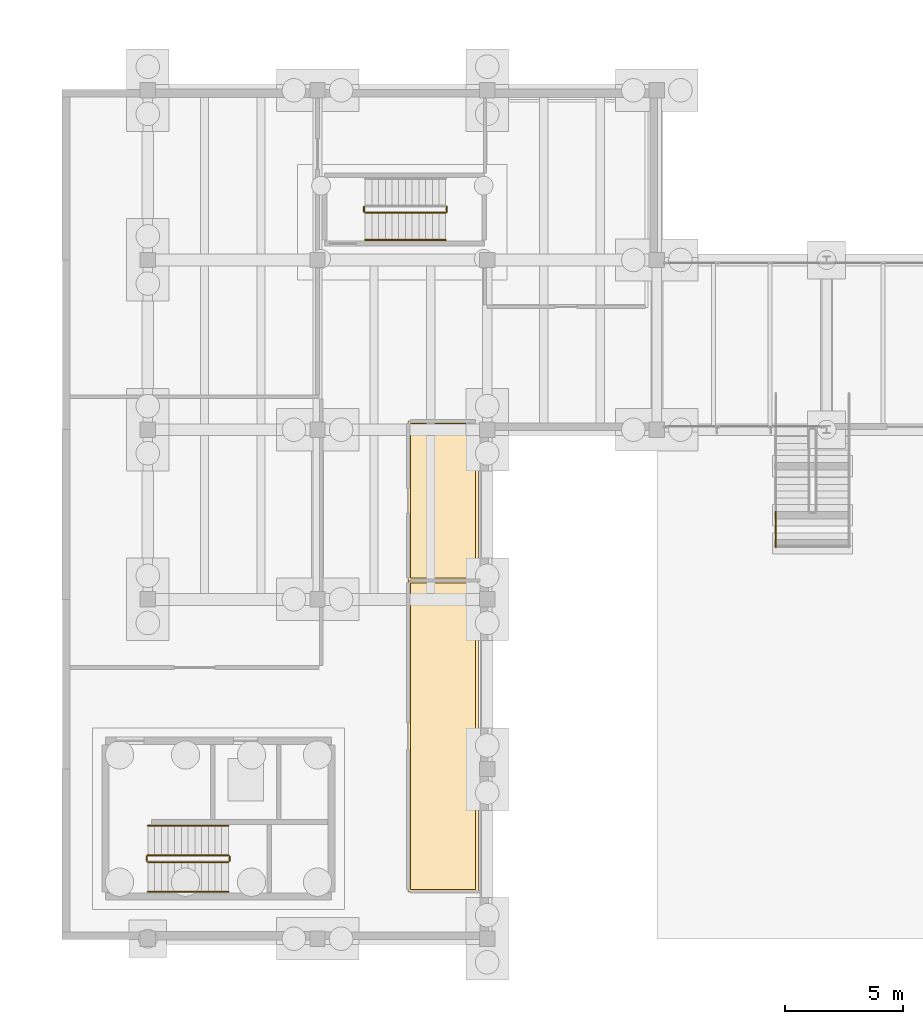
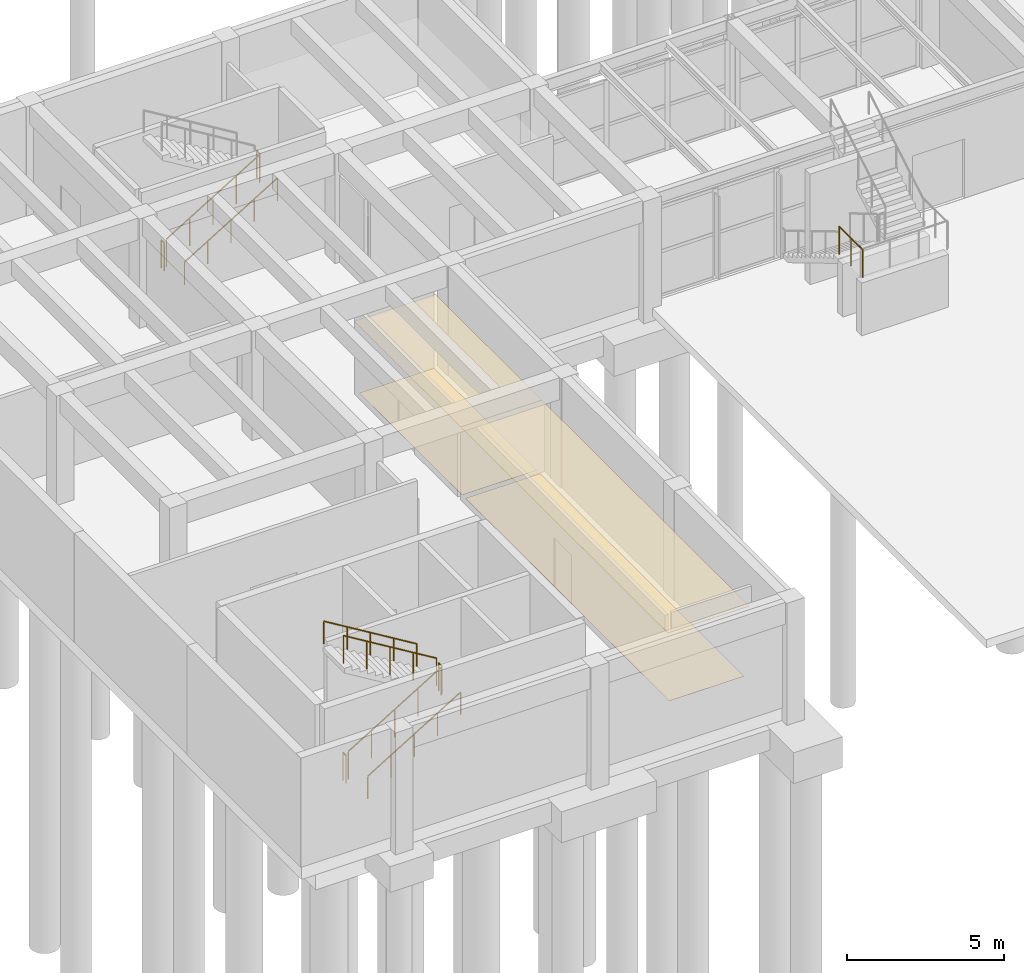
# One storey, part 23 of 28: 11 railings, 4 coverings.
"""IFC4 building model written with IfcOpenShell, lengths in metres."""

from ifc_helpers import new_model, si_unit, direction, frame, origin, origin_2d, place, context, subcontext, project, spatial, polyline, circle, outline, extrude, material, layer, layer_set, type_object, element, save


model = new_model("IFC4")

# Units and contexts
model_context = context("Model", 3, precision=1e-05, world=origin(), true_north=direction((0.0, 1.0)))
body_context = subcontext(model_context, "Body", "Model", "MODEL_VIEW")
ifc_project = project(units=[si_unit("LENGTHUNIT", "METRE"), si_unit("AREAUNIT", "SQUARE_METRE"), si_unit("VOLUMEUNIT", "CUBIC_METRE"), si_unit("PLANEANGLEUNIT", "RADIAN"), si_unit("MASSUNIT", "GRAM", prefix="KILO")], contexts=[model_context])

# Site, building, storey
site_placement = place(None, origin())
site = spatial("IfcSite", under=ifc_project, at=site_placement, CompositionType="ELEMENT")
building_placement = place(site_placement, origin())
building = spatial("IfcBuilding", under=site, at=building_placement, Name="Bramvelor Terrace Health Centre", CompositionType="ELEMENT")
storey_placement = place(building_placement, frame((0.0, 0.0, -4.5)))
storey = spatial("IfcBuildingStorey", under=building, at=storey_placement, Name="B1", CompositionType="ELEMENT", Elevation=-4.5)

# Coverings
ifc_material_1 = material(Name="Hygienic mineral-fibre acoustic ceiling", Category="gypsum")
ifc_layer_1 = layer(ifc_material_1, 0.02001953125)
ifc_layer_set_1 = layer_set([ifc_layer_1], Name="Hygienic mineral-fibre acoustic ceiling")
covering_type_1 = type_object("IfcCoveringType", Name="COV-CLG-ACT", PredefinedType="CEILING", material=ifc_layer_set_1)
covering_1_placement = place(storey_placement, frame((0.0, 0.0, 2.75)))
element("IfcCovering", 1, at=covering_1_placement, inside=storey, type_object=covering_type_1, Name="B1 Central Sterile Supply Decontamination Room Acoustic Ceiling", PredefinedType="CEILING", context=body_context, shape_type="SweptSolid", body=[
    extrude(outline(polyline([(18.25, 30.780029296875), (18.248046875, 30.780029296875), (18.24609375, 30.780517578125), (18.244140625, 30.781005859375), (18.2421875, 30.781494140625), (18.240478515625, 30.782470703125), (18.239013671875, 30.783447265625), (18.2373046875, 30.784423828125), (18.23583984375, 30.785888671875), (18.234619140625, 30.787353515625), (18.2333984375, 30.788818359375), (18.232421875, 30.79052734375), (18.2314453125, 30.792236328125), (18.23095703125, 30.794189453125), (18.23046875, 30.796142578125), (18.22998046875, 30.798095703125), (18.22998046875, 30.800048828125), (18.23193359375, 44.0), (18.232177734375, 44.001953125), (18.232421875, 44.00390625), (18.23291015625, 44.005859375), (18.2333984375, 44.0078125), (18.234375, 44.009521484375), (18.2353515625, 44.010986328125), (18.236572265625, 44.0126953125), (18.23779296875, 44.01416015625), (18.2392578125, 44.015380859375), (18.240966796875, 44.0166015625), (18.24267578125, 44.017578125), (18.244384765625, 44.0185546875), (18.24609375, 44.01904296875), (18.248046875, 44.01953125), (18.25, 44.02001953125), (18.251953125, 44.02001953125), (21.199951171875, 44.02001953125), (21.201904296875, 44.02001953125), (21.203857421875, 44.01953125), (21.205810546875, 44.01904296875), (21.207763671875, 44.0185546875), (21.20947265625, 44.017578125), (21.211181640625, 44.0166015625), (21.212646484375, 44.015380859375), (21.214111328125, 44.01416015625), (21.215576171875, 44.0126953125), (21.216552734375, 44.010986328125), (21.217529296875, 44.009521484375), (21.218505859375, 44.0078125), (21.218994140625, 44.005859375), (21.219482421875, 44.00390625), (21.219970703125, 44.001953125), (21.219970703125, 44.0), (21.219970703125, 30.800048828125), (21.219970703125, 30.798095703125), (21.219482421875, 30.796142578125), (21.218994140625, 30.794189453125), (21.218505859375, 30.792236328125), (21.217529296875, 30.79052734375), (21.216552734375, 30.788818359375), (21.215576171875, 30.787353515625), (21.214111328125, 30.785888671875), (21.212646484375, 30.784423828125), (21.211181640625, 30.783447265625), (21.20947265625, 30.782470703125), (21.207763671875, 30.781494140625), (21.205810546875, 30.781005859375), (21.203857421875, 30.780517578125), (21.201904296875, 30.780029296875), (21.199951171875, 30.780029296875), (18.25, 30.780029296875)])), origin(), (0.0, 0.0, 1.0), 0.02001953125),
])
covering_2_placement = place(storey_placement, frame((0.0, 0.0, 2.75)))
element("IfcCovering", 2, at=covering_2_placement, inside=storey, type_object=covering_type_1, Name="B1 Sterile Autoclave and Instrument Packing Room Acoustic Ceiling", PredefinedType="CEILING", context=body_context, shape_type="SweptSolid", body=[
    extrude(outline(polyline([(21.219970703125, 44.010009765625), (21.219970703125, 44.008056640625), (21.219482421875, 44.006103515625), (21.218994140625, 44.004150390625), (21.218505859375, 44.002197265625), (21.217529296875, 44.00048828125), (21.216552734375, 43.998779296875), (21.215576171875, 43.997314453125), (21.214111328125, 43.995849609375), (21.212646484375, 43.994384765625), (21.211181640625, 43.993408203125), (21.20947265625, 43.992431640625), (21.207763671875, 43.991455078125), (21.205810546875, 43.990966796875), (21.203857421875, 43.990478515625), (21.201904296875, 43.989990234375), (21.199951171875, 43.989990234375), (18.251953125, 43.989990234375), (18.25, 43.989990234375), (18.248046875, 43.990478515625), (18.24609375, 43.990966796875), (18.244384765625, 43.991455078125), (18.24267578125, 43.992431640625), (18.240966796875, 43.993408203125), (18.2392578125, 43.994384765625), (18.23779296875, 43.995849609375), (18.236572265625, 43.997314453125), (18.2353515625, 43.998779296875), (18.234375, 44.00048828125), (18.2333984375, 44.002197265625), (18.23291015625, 44.004150390625), (18.232421875, 44.006103515625), (18.232177734375, 44.008056640625), (18.23193359375, 44.010009765625), (18.23193359375, 50.758056640625), (18.232177734375, 50.760009765625), (18.232421875, 50.761962890625), (18.23291015625, 50.763916015625), (18.2333984375, 50.765625), (18.234375, 50.767333984375), (18.2353515625, 50.76904296875), (18.236572265625, 50.770751953125), (18.23779296875, 50.772216796875), (18.2392578125, 50.7734375), (18.240966796875, 50.774658203125), (18.24267578125, 50.775634765625), (18.244384765625, 50.776611328125), (18.24609375, 50.777099609375), (18.248046875, 50.777587890625), (18.25, 50.77783203125), (18.251953125, 50.778076171875), (21.199951171875, 50.778076171875), (21.201904296875, 50.77783203125), (21.203857421875, 50.777587890625), (21.205810546875, 50.777099609375), (21.207763671875, 50.776611328125), (21.20947265625, 50.775634765625), (21.211181640625, 50.774658203125), (21.212646484375, 50.7734375), (21.214111328125, 50.772216796875), (21.215576171875, 50.770751953125), (21.216552734375, 50.76904296875), (21.217529296875, 50.767333984375), (21.218505859375, 50.765625), (21.218994140625, 50.763916015625), (21.219482421875, 50.761962890625), (21.219970703125, 50.760009765625), (21.219970703125, 50.758056640625), (21.219970703125, 44.010009765625)])), origin(), (0.0, 0.0, 1.0), 0.02001953125),
])
ifc_material_2 = material(Name="Seamless antimicrobial clinical vinyl", Category="polymer")
ifc_layer_2 = layer(ifc_material_2, 0.008056640625)
ifc_layer_set_2 = layer_set([ifc_layer_2], Name="Seamless antimicrobial clinical vinyl")
covering_type_2 = type_object("IfcCoveringType", Name="COV-FLR-VNL", PredefinedType="FLOORING", material=ifc_layer_set_2)
covering_3_placement = place(storey_placement, origin())
element("IfcCovering", 3, at=covering_3_placement, inside=storey, type_object=covering_type_2, Name="B1 Central Sterile Supply Decontamination Room Clinical Vinyl Flooring", PredefinedType="FLOORING", context=body_context, shape_type="SweptSolid", body=[
    extrude(outline(polyline([(18.35009765625, 30.89990234375), (18.35205078125, 43.89990234375), (21.10009765625, 43.89990234375), (21.10009765625, 30.89990234375), (18.35009765625, 30.89990234375)])), origin(), (0.0, 0.0, 1.0), 0.008056640625),
])
covering_4_placement = place(storey_placement, origin())
element("IfcCovering", 4, at=covering_4_placement, inside=storey, type_object=covering_type_2, Name="B1 Sterile Autoclave and Instrument Packing Room Clinical Vinyl Flooring", PredefinedType="FLOORING", context=body_context, shape_type="SweptSolid", body=[
    extrude(outline(polyline([(21.10009765625, 44.110107421875), (18.35205078125, 44.110107421875), (18.35205078125, 50.657958984375), (21.10009765625, 50.657958984375), (21.10009765625, 44.110107421875)])), origin(), (0.0, 0.0, 1.0), 0.008056640625),
])

# Railings
ifc_material_3 = material(Name="Painted galvanized steel", Category="steel")
railing_type_1 = type_object("IfcRailingType", Name="RLG-GD-1100", PredefinedType="GUARDRAIL", material=ifc_material_3)
railing_1_placement = place(storey_placement, frame((7.199951171875, 32.050048828125, 0.173095703125)))
element("IfcRailing", 5, at=railing_1_placement, inside=storey, type_object=railing_type_1, Name="B1 ST-3 stair guard 1", PredefinedType="GUARDRAIL", context=body_context, shape_type="SweptSolid", body=[
    extrude(circle(Radius=0.02392578125, at=origin_2d()), frame((0.0, 0.0, 1.076171875), z_axis=(0.854745945586, 0.0, 0.519046595696), x_axis=(0.0, 1.0, 0.0)), (0.0, 0.0, 1.0), 4.00146484375),
    extrude(circle(Radius=0.02099609375, at=origin_2d()), origin(), (0.0, 0.0, 1.0), 1.052001953125),
    extrude(circle(Radius=0.02099609375, at=origin_2d()), frame((0.85498046875, 0.0, 0.519287109375)), (0.0, 0.0, 1.0), 1.052001953125),
    extrude(circle(Radius=0.02099609375, at=origin_2d()), frame((1.7099609375, 0.0, 1.03857421875)), (0.0, 0.0, 1.0), 1.052001953125),
    extrude(circle(Radius=0.02099609375, at=origin_2d()), frame((2.565185546875, 0.0, 1.5576171875)), (0.0, 0.0, 1.0), 1.052001953125),
    extrude(circle(Radius=0.02099609375, at=origin_2d()), frame((3.420166015625, 0.0, 2.076904296875)), (0.0, 0.0, 1.0), 1.052001953125),
])
railing_2_placement = place(storey_placement, frame((10.669921875, 32.10009765625, 2.25)))
element("IfcRailing", 6, at=railing_2_placement, inside=storey, type_object=railing_type_1, Name="B1 ST-3 stair guard 2", PredefinedType="GUARDRAIL", context=body_context, shape_type="SweptSolid", body=[
    extrude(circle(Radius=0.02392578125, at=origin_2d()), frame((0.0, 0.0, 1.076171875), z_axis=(0.0, 1.0, 0.0), x_axis=(-1.0, 0.0, 0.0)), (0.0, 0.0, 1.0), 0.199951171875),
    extrude(circle(Radius=0.02099609375, at=origin_2d()), origin(), (0.0, 0.0, 1.0), 1.052001953125),
    extrude(circle(Radius=0.02099609375, at=origin_2d()), frame((0.0, 0.199951171875, 0.0)), (0.0, 0.0, 1.0), 1.052001953125),
])
railing_3_placement = place(storey_placement, frame((10.6201171875, 32.35009765625, 2.423095703125)))
element("IfcRailing", 7, at=railing_3_placement, inside=storey, type_object=railing_type_1, Name="B1 ST-3 stair guard 3", PredefinedType="GUARDRAIL", context=body_context, shape_type="SweptSolid", body=[
    extrude(circle(Radius=0.02392578125, at=origin_2d()), frame((0.0, 0.0, 1.076171875), z_axis=(-0.854745945586, 0.0, 0.519046595696), x_axis=(0.0, -1.0, 0.0)), (0.0, 0.0, 1.0), 4.00146484375),
    extrude(circle(Radius=0.02099609375, at=origin_2d()), origin(), (0.0, 0.0, 1.0), 1.052001953125),
    extrude(circle(Radius=0.02099609375, at=origin_2d()), frame((-0.85498046875, 0.0, 0.519287109375)), (0.0, 0.0, 1.0), 1.052001953125),
    extrude(circle(Radius=0.02099609375, at=origin_2d()), frame((-1.7099609375, 0.0, 1.03857421875)), (0.0, 0.0, 1.0), 1.052001953125),
    extrude(circle(Radius=0.02099609375, at=origin_2d()), frame((-2.565185546875, 0.0, 1.5576171875)), (0.0, 0.0, 1.0), 1.052001953125),
    extrude(circle(Radius=0.02099609375, at=origin_2d()), frame((-3.420166015625, 0.0, 2.076904296875)), (0.0, 0.0, 1.0), 1.052001953125),
])
railing_4_placement = place(storey_placement, frame((7.14990234375, 32.10009765625, 0.0)))
element("IfcRailing", 8, at=railing_4_placement, inside=storey, type_object=railing_type_1, Name="B1 ST-3 stair guard 4", PredefinedType="GUARDRAIL", context=body_context, shape_type="SweptSolid", body=[
    extrude(circle(Radius=0.02392578125, at=origin_2d()), frame((0.0, 0.0, 1.076171875), z_axis=(0.0, 1.0, 0.0), x_axis=(-1.0, 0.0, 0.0)), (0.0, 0.0, 1.0), 0.199951171875),
    extrude(circle(Radius=0.02099609375, at=origin_2d()), origin(), (0.0, 0.0, 1.0), 1.052001953125),
    extrude(circle(Radius=0.02099609375, at=origin_2d()), frame((0.0, 0.199951171875, 0.0)), (0.0, 0.0, 1.0), 1.052001953125),
])
railing_5_placement = place(storey_placement, frame((16.419921875, 59.60009765625, 0.173095703125)))
element("IfcRailing", 9, at=railing_5_placement, inside=storey, type_object=railing_type_1, Name="B1 ST-6 stair guard 1", PredefinedType="GUARDRAIL", context=body_context, shape_type="SweptSolid", body=[
    extrude(circle(Radius=0.02392578125, at=origin_2d()), frame((0.0, 0.0, 1.076171875), z_axis=(0.854745945586, 0.0, 0.519046595696), x_axis=(0.0, 1.0, 0.0)), (0.0, 0.0, 1.0), 4.00146484375),
    extrude(circle(Radius=0.02099609375, at=origin_2d()), origin(), (0.0, 0.0, 1.0), 1.052001953125),
    extrude(circle(Radius=0.02099609375, at=origin_2d()), frame((0.85498046875, 0.0, 0.519287109375)), (0.0, 0.0, 1.0), 1.052001953125),
    extrude(circle(Radius=0.02099609375, at=origin_2d()), frame((1.7099609375, 0.0, 1.03857421875)), (0.0, 0.0, 1.0), 1.052001953125),
    extrude(circle(Radius=0.02099609375, at=origin_2d()), frame((2.565185546875, 0.0, 1.5576171875)), (0.0, 0.0, 1.0), 1.052001953125),
    extrude(circle(Radius=0.02099609375, at=origin_2d()), frame((3.420166015625, 0.0, 2.076904296875)), (0.0, 0.0, 1.0), 1.052001953125),
])
for number, where, name in (
    (10, (19.889892578125, 59.64990234375, 2.25), "B1 ST-6 stair guard 2"),
    (11, (16.3701171875, 59.64990234375, 0.0), "B1 ST-6 stair guard 4"),
):
    element("IfcRailing", number, at=place(storey_placement, frame(where)), inside=storey, type_object=railing_type_1, Name=name, PredefinedType="GUARDRAIL", context=body_context, shape_type="SweptSolid", body=[
        extrude(circle(Radius=0.02392578125, at=origin_2d()), frame((0.0, 0.0, 1.076171875), z_axis=(0.0, 1.0, 0.0), x_axis=(-1.0, 0.0, 0.0)), (0.0, 0.0, 1.0), 0.2001953125),
        extrude(circle(Radius=0.02099609375, at=origin_2d()), origin(), (0.0, 0.0, 1.0), 1.052001953125),
        extrude(circle(Radius=0.02099609375, at=origin_2d()), frame((0.0, 0.2001953125, 0.0)), (0.0, 0.0, 1.0), 1.052001953125),
    ])
ifc_material_4 = material(Name="Painted galvanized steel", Category="steel")
railing_type_2 = type_object("IfcRailingType", Name="RLG-GD-EXT1100", PredefinedType="GUARDRAIL", material=ifc_material_4)
railing_6_placement = place(storey_placement, frame((33.85009765625, 46.919921875, 2.25)))
element("IfcRailing", 12, at=railing_6_placement, inside=storey, type_object=railing_type_2, Name="B1 STE-1 stair guard 3", PredefinedType="GUARDRAIL", context=body_context, shape_type="SweptSolid", body=[
    extrude(circle(Radius=0.02392578125, at=origin_2d()), frame((0.0, 0.0, 1.076171875), z_axis=(0.0, -1.0, 0.0), x_axis=(1.0, 0.0, 0.0)), (0.0, 0.0, 1.0), 1.5),
    extrude(circle(Radius=0.02099609375, at=origin_2d()), origin(), (0.0, 0.0, 1.0), 1.052001953125),
    extrude(circle(Radius=0.02099609375, at=origin_2d()), frame((0.0, -0.75, 0.0)), (0.0, 0.0, 1.0), 1.052001953125),
    extrude(circle(Radius=0.02099609375, at=origin_2d()), frame((0.0, -1.5, 0.0)), (0.0, 0.0, 1.0), 1.052001953125),
])
ifc_material_5 = material(Name="Brushed stainless steel 316", Category="steel")
railing_type_3 = type_object("IfcRailingType", Name="RLG-HR-900", PredefinedType="HANDRAIL", material=ifc_material_5)
railing_7_placement = place(storey_placement, frame((7.199951171875, 30.800048828125, 0.173095703125)))
element("IfcRailing", 13, at=railing_7_placement, inside=storey, type_object=railing_type_3, Name="B1 ST-3 stair handrail 1", PredefinedType="HANDRAIL", context=body_context, shape_type="SweptSolid", body=[
    extrude(circle(Radius=0.02392578125, at=origin_2d()), frame((0.0, 0.0, 0.8759765625), z_axis=(0.854745945586, 0.0, 0.519046595696), x_axis=(0.0, 1.0, 0.0)), (0.0, 0.0, 1.0), 4.00146484375),
    extrude(circle(Radius=0.02099609375, at=origin_2d()), origin(), (0.0, 0.0, 1.0), 0.851806640625),
    extrude(circle(Radius=0.02099609375, at=origin_2d()), frame((0.85498046875, 0.0, 0.519287109375)), (0.0, 0.0, 1.0), 0.851806640625),
    extrude(circle(Radius=0.02099609375, at=origin_2d()), frame((1.7099609375, 0.0, 1.03857421875)), (0.0, 0.0, 1.0), 0.851806640625),
    extrude(circle(Radius=0.02099609375, at=origin_2d()), frame((2.565185546875, 0.0, 1.5576171875)), (0.0, 0.0, 1.0), 0.851806640625),
    extrude(circle(Radius=0.02099609375, at=origin_2d()), frame((3.420166015625, 0.0, 2.076904296875)), (0.0, 0.0, 1.0), 0.851806640625),
])
railing_8_placement = place(storey_placement, frame((10.6201171875, 33.60009765625, 2.423095703125)))
element("IfcRailing", 14, at=railing_8_placement, inside=storey, type_object=railing_type_3, Name="B1 ST-3 stair handrail 2", PredefinedType="HANDRAIL", context=body_context, shape_type="SweptSolid", body=[
    extrude(circle(Radius=0.02392578125, at=origin_2d()), frame((0.0, 0.0, 0.8759765625), z_axis=(-0.854745945586, 0.0, 0.519046595696), x_axis=(0.0, -1.0, 0.0)), (0.0, 0.0, 1.0), 4.00146484375),
    extrude(circle(Radius=0.02099609375, at=origin_2d()), origin(), (0.0, 0.0, 1.0), 0.851806640625),
    extrude(circle(Radius=0.02099609375, at=origin_2d()), frame((-0.85498046875, 0.0, 0.519287109375)), (0.0, 0.0, 1.0), 0.851806640625),
    extrude(circle(Radius=0.02099609375, at=origin_2d()), frame((-1.7099609375, 0.0, 1.03857421875)), (0.0, 0.0, 1.0), 0.851806640625),
    extrude(circle(Radius=0.02099609375, at=origin_2d()), frame((-2.565185546875, 0.0, 1.5576171875)), (0.0, 0.0, 1.0), 0.851806640625),
    extrude(circle(Radius=0.02099609375, at=origin_2d()), frame((-3.420166015625, 0.0, 2.076904296875)), (0.0, 0.0, 1.0), 0.851806640625),
])
railing_9_placement = place(storey_placement, frame((16.419921875, 58.449951171875, 0.173095703125)))
element("IfcRailing", 15, at=railing_9_placement, inside=storey, type_object=railing_type_3, Name="B1 ST-6 stair handrail 1", PredefinedType="HANDRAIL", context=body_context, shape_type="SweptSolid", body=[
    extrude(circle(Radius=0.02392578125, at=origin_2d()), frame((0.0, 0.0, 0.8759765625), z_axis=(0.854745945586, 0.0, 0.519046595696), x_axis=(0.0, 1.0, 0.0)), (0.0, 0.0, 1.0), 4.00146484375),
    extrude(circle(Radius=0.02099609375, at=origin_2d()), origin(), (0.0, 0.0, 1.0), 0.851806640625),
    extrude(circle(Radius=0.02099609375, at=origin_2d()), frame((0.85498046875, 0.0, 0.519287109375)), (0.0, 0.0, 1.0), 0.851806640625),
    extrude(circle(Radius=0.02099609375, at=origin_2d()), frame((1.7099609375, 0.0, 1.03857421875)), (0.0, 0.0, 1.0), 0.851806640625),
    extrude(circle(Radius=0.02099609375, at=origin_2d()), frame((2.565185546875, 0.0, 1.5576171875)), (0.0, 0.0, 1.0), 0.851806640625),
    extrude(circle(Radius=0.02099609375, at=origin_2d()), frame((3.420166015625, 0.0, 2.076904296875)), (0.0, 0.0, 1.0), 0.851806640625),
])

save(model, "model.ifc")
